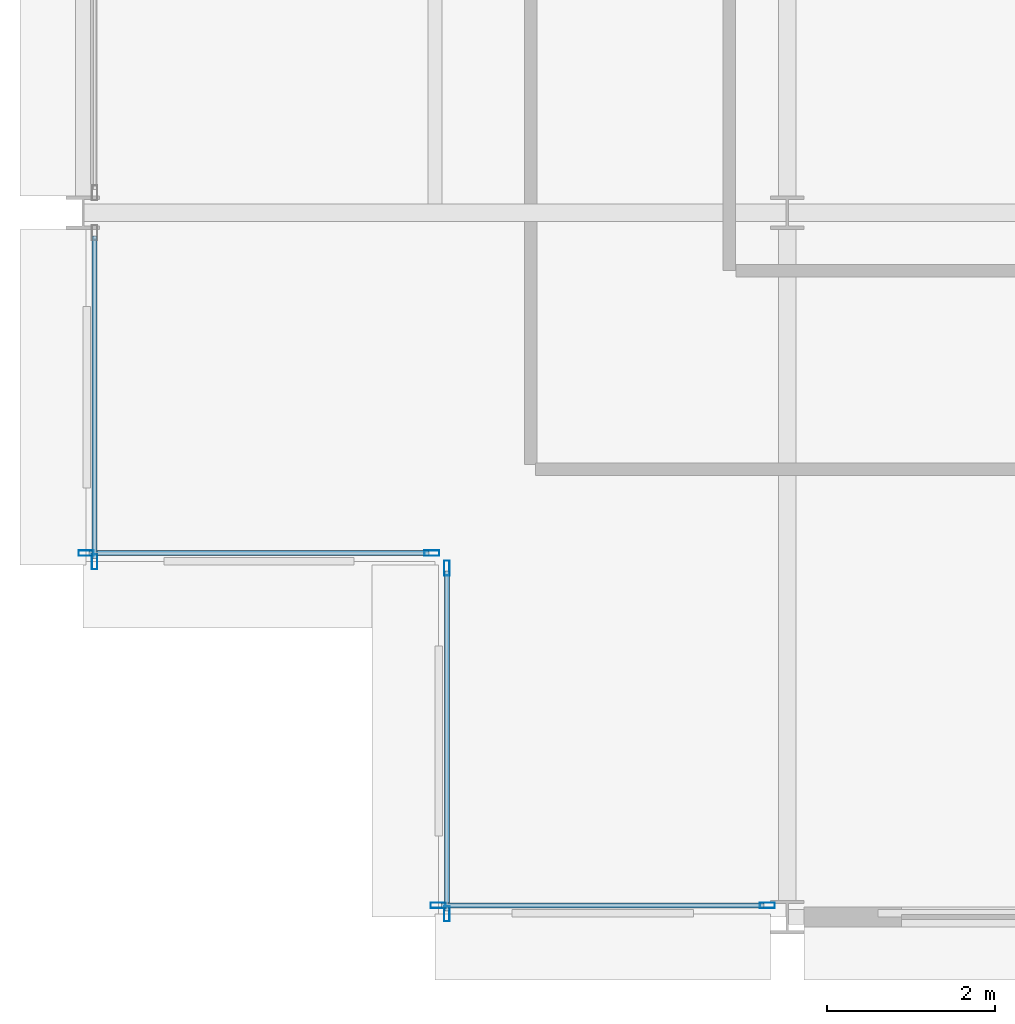
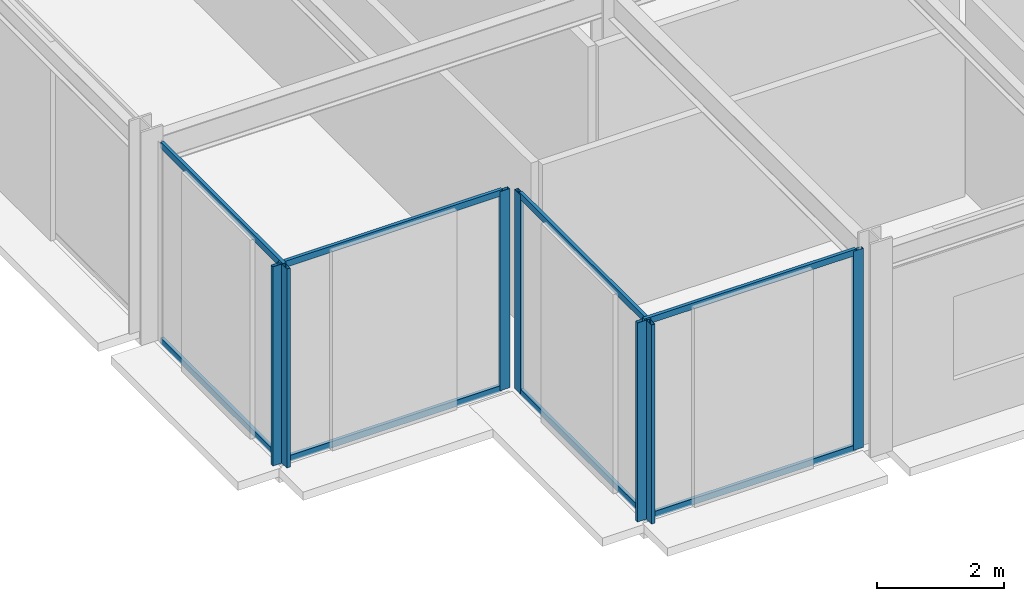
# One storey, part 4 of 39: 15 members, 4 elements without a shape of their own.
"""IFC4 building model written with IfcOpenShell, lengths in metres."""

from ifc_helpers import new_model, si_unit, direction, frame, origin, origin_2d, place, context, subcontext, project, spatial, hollow_rectangle, extrude, material, layer, layer_set, material_profile, profile_set, type_object, element, aggregate, save


model = new_model("IFC4")

# Units and contexts
model_context = context("Model", 3, precision=1e-05, world=origin(), true_north=direction((0.0, 1.0)))
body_context = subcontext(model_context, "Body", "Model", "MODEL_VIEW")
ifc_project = project(units=[si_unit("LENGTHUNIT", "METRE"), si_unit("AREAUNIT", "SQUARE_METRE"), si_unit("VOLUMEUNIT", "CUBIC_METRE"), si_unit("PLANEANGLEUNIT", "RADIAN"), si_unit("MASSUNIT", "GRAM", prefix="KILO")], contexts=[model_context])

# Site, building, storey
site_placement = place(None, origin())
site = spatial("IfcSite", under=ifc_project, at=site_placement, CompositionType="ELEMENT")
building_placement = place(site_placement, origin())
building = spatial("IfcBuilding", under=site, at=building_placement, Name="Nerrivon Quay Data Exchange", CompositionType="ELEMENT")
storey_placement = place(building_placement, frame((0.0, 0.0, 92.60009765625)))
storey = spatial("IfcBuildingStorey", under=building, at=storey_placement, Name="L21", CompositionType="ELEMENT", Elevation=92.60009765625)

# Curtain wall, members
ifc_material = material(Name="Anodised aluminium 6063-T6", Category="aluminium")
ifc_layer = layer(ifc_material, 0.2099609375)
ifc_layer_set = layer_set([ifc_layer], Name="Anodised aluminium 6063-T6")
curtain_wall_type = type_object("IfcCurtainWallType", Name="CW-SYS-02", PredefinedType="NOTDEFINED", material=ifc_layer_set)
curtain_wall_1_placement = place(storey_placement, origin())
curtain_wall_1 = element("IfcCurtainWall", 1, at=curtain_wall_1_placement, inside=storey, type_object=curtain_wall_type, Name="L21 Unitised Curtain Wall 14", PredefinedType="NOTDEFINED")
ifc_material_profile_1 = material_profile(ifc_material, hollow_rectangle(XDim=0.06494140625, YDim=0.179931640625, WallThickness=0.00341796875, at=origin_2d()), Name="ALU-MULL-180x65")
ifc_profile_set_1 = profile_set([ifc_material_profile_1], Name="Anodised aluminium 6063-T6")
member_type_1 = type_object("IfcMemberType", Name="CWM-180x65", PredefinedType="MULLION", material=ifc_profile_set_1)
member_1_placement = place(storey_placement, frame((8.16259765625, 0.139892578125, 0.0), z_axis=(0.0, 0.0, 1.0), x_axis=(0.0, -1.0, 0.0)))
member_1 = element("IfcMember", 2, at=member_1_placement, type_object=member_type_1, Name="CW02 mullion 1", PredefinedType="MULLION", context=body_context, shape_type="SweptSolid", body=[
    extrude(hollow_rectangle(XDim=0.06494140625, YDim=0.179931640625, WallThickness=0.00341796875, at=origin_2d()), origin(), (0.0, 0.0, 1.0), 3.824951171875),
])
member_2_placement = place(storey_placement, frame((4.237548828125, 0.139892578125, 0.0), z_axis=(0.0, 0.0, 1.0), x_axis=(0.0, -1.0, 0.0)))
member_2 = element("IfcMember", 3, at=member_2_placement, type_object=member_type_1, Name="CW02 mullion 2", PredefinedType="MULLION", context=body_context, shape_type="SweptSolid", body=[
    extrude(hollow_rectangle(XDim=0.06494140625, YDim=0.179931640625, WallThickness=0.00341796875, at=origin_2d()), origin(), (0.0, 0.0, 1.0), 3.824951171875),
])

curtain_wall_2_placement = place(storey_placement, origin())
curtain_wall_2 = element("IfcCurtainWall", 4, at=curtain_wall_2_placement, inside=storey, type_object=curtain_wall_type, Name="L21 Unitised Curtain Wall 15", PredefinedType="NOTDEFINED")
member_3_placement = place(storey_placement, frame((4.340087890625, 0.03759765625, 0.0), z_axis=(0.0, 0.0, 1.0), x_axis=(-1.0, 0.0, 0.0)))
member_3 = element("IfcMember", 5, at=member_3_placement, type_object=member_type_1, Name="CW02 mullion 1", PredefinedType="MULLION", context=body_context, shape_type="SweptSolid", body=[
    extrude(hollow_rectangle(XDim=0.06494140625, YDim=0.179931640625, WallThickness=0.00341796875, at=origin_2d()), origin(), (0.0, 0.0, 1.0), 3.824951171875),
])
member_4_placement = place(storey_placement, frame((4.340087890625, 4.16259765625, 0.0), z_axis=(0.0, 0.0, 1.0), x_axis=(-1.0, 0.0, 0.0)))
member_4 = element("IfcMember", 6, at=member_4_placement, type_object=member_type_1, Name="CW02 mullion 2", PredefinedType="MULLION", context=body_context, shape_type="SweptSolid", body=[
    extrude(hollow_rectangle(XDim=0.06494140625, YDim=0.179931640625, WallThickness=0.00341796875, at=origin_2d()), origin(), (0.0, 0.0, 1.0), 3.824951171875),
])

curtain_wall_3_placement = place(storey_placement, origin())
curtain_wall_3 = element("IfcCurtainWall", 7, at=curtain_wall_3_placement, inside=storey, type_object=curtain_wall_type, Name="L21 Unitised Curtain Wall 16", PredefinedType="NOTDEFINED")
member_5_placement = place(storey_placement, frame((4.16259765625, 4.340087890625, 0.0), z_axis=(0.0, 0.0, 1.0), x_axis=(0.0, -1.0, 0.0)))
member_5 = element("IfcMember", 8, at=member_5_placement, type_object=member_type_1, Name="CW02 mullion 1", PredefinedType="MULLION", context=body_context, shape_type="SweptSolid", body=[
    extrude(hollow_rectangle(XDim=0.06494140625, YDim=0.179931640625, WallThickness=0.00341796875, at=origin_2d()), origin(), (0.0, 0.0, 1.0), 3.824951171875),
])
member_6_placement = place(storey_placement, frame((0.03759765625, 4.340087890625, 0.0), z_axis=(0.0, 0.0, 1.0), x_axis=(0.0, -1.0, 0.0)))
member_6 = element("IfcMember", 9, at=member_6_placement, type_object=member_type_1, Name="CW02 mullion 2", PredefinedType="MULLION", context=body_context, shape_type="SweptSolid", body=[
    extrude(hollow_rectangle(XDim=0.06494140625, YDim=0.179931640625, WallThickness=0.00341796875, at=origin_2d()), origin(), (0.0, 0.0, 1.0), 3.824951171875),
])

# Curtain wall, member
curtain_wall_4_placement = place(storey_placement, origin())
curtain_wall_4 = element("IfcCurtainWall", 10, at=curtain_wall_4_placement, inside=storey, type_object=curtain_wall_type, Name="L21 Unitised Curtain Wall 17", PredefinedType="NOTDEFINED")
member_7_placement = place(storey_placement, frame((0.139892578125, 4.237548828125, 0.0), z_axis=(0.0, 0.0, 1.0), x_axis=(-1.0, 0.0, 0.0)))
member_7 = element("IfcMember", 11, at=member_7_placement, type_object=member_type_1, Name="CW02 mullion 1", PredefinedType="MULLION", context=body_context, shape_type="SweptSolid", body=[
    extrude(hollow_rectangle(XDim=0.06494140625, YDim=0.179931640625, WallThickness=0.00341796875, at=origin_2d()), origin(), (0.0, 0.0, 1.0), 3.824951171875),
])

# Member
ifc_material_profile_2 = material_profile(ifc_material, hollow_rectangle(XDim=0.06005859375, YDim=0.1201171875, WallThickness=0.003173828125, at=origin_2d()), Name="ALU-TRAN-120x60")
ifc_profile_set_2 = profile_set([ifc_material_profile_2], Name="Anodised aluminium 6063-T6")
member_type_2 = type_object("IfcMemberType", Name="CWT-120x60", PredefinedType="USERDEFINED", material=ifc_profile_set_2)
member_8_placement = place(storey_placement, frame((8.125, 0.139892578125, 0.032470703125), z_axis=(-1.0, 0.0, 0.0), x_axis=(0.0, -1.0, 0.0)))
member_8 = element("IfcMember", 12, at=member_8_placement, type_object=member_type_2, Name="CW02 transom 1.1", ObjectType="TRANSOM", PredefinedType="USERDEFINED", context=body_context, shape_type="SweptSolid", body=[
    extrude(hollow_rectangle(XDim=0.06005859375, YDim=0.1201171875, WallThickness=0.003173828125, at=origin_2d()), origin(), (0.0, 0.0, 1.0), 3.85009765625),
])

member_9_placement = place(storey_placement, frame((8.125, 0.139892578125, 3.79248046875), z_axis=(-1.0, 0.0, 0.0), x_axis=(0.0, -1.0, 0.0)))
member_9 = element("IfcMember", 13, at=member_9_placement, type_object=member_type_2, Name="CW02 transom 1.2", ObjectType="TRANSOM", PredefinedType="USERDEFINED", context=body_context, shape_type="SweptSolid", body=[
    extrude(hollow_rectangle(XDim=0.06005859375, YDim=0.1201171875, WallThickness=0.003173828125, at=origin_2d()), origin(), (0.0, 0.0, 1.0), 3.85009765625),
])

aggregate(curtain_wall_1, [member_1, member_2, member_8, member_9])

member_10_placement = place(storey_placement, frame((4.340087890625, 0.074951171875, 0.032470703125), z_axis=(0.0, 1.0, 0.0), x_axis=(-1.0, 0.0, 0.0)))
member_10 = element("IfcMember", 14, at=member_10_placement, type_object=member_type_2, Name="CW02 transom 1.1", ObjectType="TRANSOM", PredefinedType="USERDEFINED", context=body_context, shape_type="SweptSolid", body=[
    extrude(hollow_rectangle(XDim=0.06005859375, YDim=0.1201171875, WallThickness=0.003173828125, at=origin_2d()), origin(), (0.0, 0.0, 1.0), 4.050048828125),
])

member_11_placement = place(storey_placement, frame((4.340087890625, 0.074951171875, 3.79248046875), z_axis=(0.0, 1.0, 0.0), x_axis=(-1.0, 0.0, 0.0)))
member_11 = element("IfcMember", 15, at=member_11_placement, type_object=member_type_2, Name="CW02 transom 1.2", ObjectType="TRANSOM", PredefinedType="USERDEFINED", context=body_context, shape_type="SweptSolid", body=[
    extrude(hollow_rectangle(XDim=0.06005859375, YDim=0.1201171875, WallThickness=0.003173828125, at=origin_2d()), origin(), (0.0, 0.0, 1.0), 4.050048828125),
])

aggregate(curtain_wall_2, [member_3, member_4, member_10, member_11])

member_12_placement = place(storey_placement, frame((4.125, 4.340087890625, 0.032470703125), z_axis=(-1.0, 0.0, 0.0), x_axis=(0.0, -1.0, 0.0)))
member_12 = element("IfcMember", 16, at=member_12_placement, type_object=member_type_2, Name="CW02 transom 1.1", ObjectType="TRANSOM", PredefinedType="USERDEFINED", context=body_context, shape_type="SweptSolid", body=[
    extrude(hollow_rectangle(XDim=0.06005859375, YDim=0.1201171875, WallThickness=0.003173828125, at=origin_2d()), origin(), (0.0, 0.0, 1.0), 4.050048828125),
])

member_13_placement = place(storey_placement, frame((4.125, 4.340087890625, 3.79248046875), z_axis=(-1.0, 0.0, 0.0), x_axis=(0.0, -1.0, 0.0)))
member_13 = element("IfcMember", 17, at=member_13_placement, type_object=member_type_2, Name="CW02 transom 1.2", ObjectType="TRANSOM", PredefinedType="USERDEFINED", context=body_context, shape_type="SweptSolid", body=[
    extrude(hollow_rectangle(XDim=0.06005859375, YDim=0.1201171875, WallThickness=0.003173828125, at=origin_2d()), origin(), (0.0, 0.0, 1.0), 4.050048828125),
])

aggregate(curtain_wall_3, [member_5, member_6, member_12, member_13])

member_14_placement = place(storey_placement, frame((0.139892578125, 4.27490234375, 0.032470703125), z_axis=(0.0, 1.0, 0.0), x_axis=(-1.0, 0.0, 0.0)))
member_14 = element("IfcMember", 18, at=member_14_placement, type_object=member_type_2, Name="CW02 transom 1.1", ObjectType="TRANSOM", PredefinedType="USERDEFINED", context=body_context, shape_type="SweptSolid", body=[
    extrude(hollow_rectangle(XDim=0.06005859375, YDim=0.1201171875, WallThickness=0.003173828125, at=origin_2d()), origin(), (0.0, 0.0, 1.0), 3.85009765625),
])

member_15_placement = place(storey_placement, frame((0.139892578125, 4.27490234375, 3.79248046875), z_axis=(0.0, 1.0, 0.0), x_axis=(-1.0, 0.0, 0.0)))
member_15 = element("IfcMember", 19, at=member_15_placement, type_object=member_type_2, Name="CW02 transom 1.2", ObjectType="TRANSOM", PredefinedType="USERDEFINED", context=body_context, shape_type="SweptSolid", body=[
    extrude(hollow_rectangle(XDim=0.06005859375, YDim=0.1201171875, WallThickness=0.003173828125, at=origin_2d()), origin(), (0.0, 0.0, 1.0), 3.85009765625),
])

aggregate(curtain_wall_4, [member_7, member_14, member_15])

save(model, "model.ifc")
